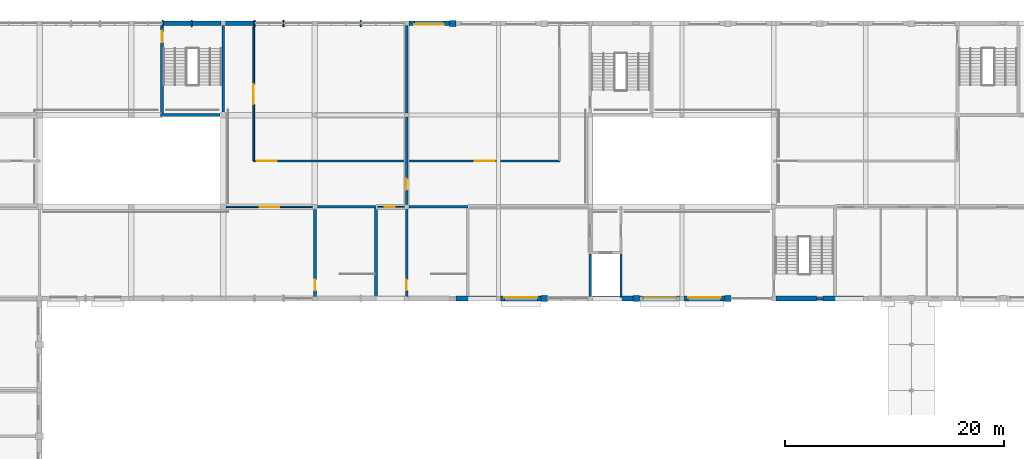
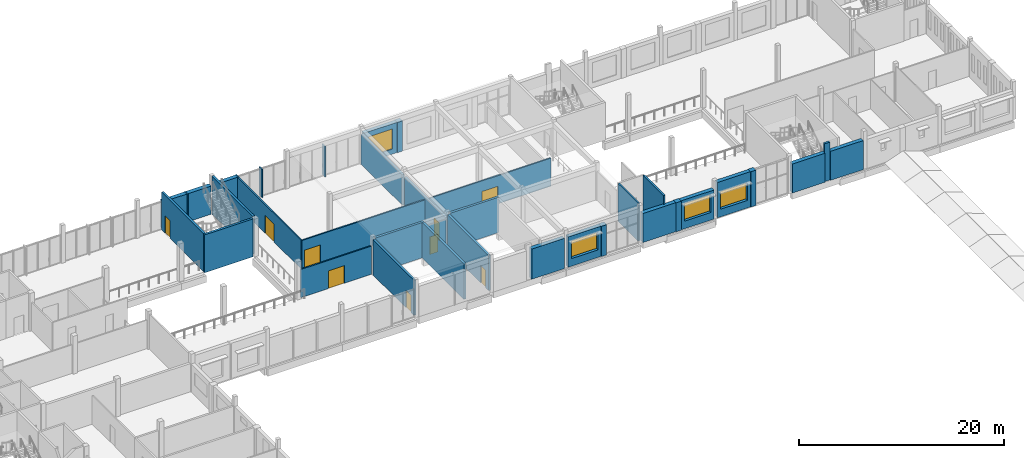
# One storey, part 28 of 38: 37 walls, 9 doors, 4 windows, 13 openings.
"""IFC4 building model written with IfcOpenShell, lengths in metres."""

import ifcopenshell
import ifcopenshell.guid

model = None  # the IFC model being written
_history = None  # IfcOwnerHistory: only IFC2X3 demands one
_inside = {}  # id of a spatial element -> (the spatial element, [elements in it])
_under = {}  # id of a project, library or spatial element -> (it, [spatial elements below it])
_declared = {}  # id of a project -> (the project, [libraries it declares])
_typed = {}  # id of a type object -> (the type object, [elements of that type])
_made_of = {}  # id of a material, layer set ... -> (it, [elements and type objects made of it])


def new_model(schema):
    """Start an empty IFC model of exactly this schema.

    Asked for "IFC4X3", IfcOpenShell would pick the latest addendum, in which some entities
    have other attributes; the version numbers below select the first issue.
    IFC2X3 requires an IfcOwnerHistory on every rooted entity: one is made here for all.
    """
    global model, _history
    if schema == "IFC4X3":
        model = ifcopenshell.file(schema_version=(4, 3, 0, 0))
    else:
        model = ifcopenshell.file(schema=schema)
    _inside.clear()
    _under.clear()
    _declared.clear()
    _typed.clear()
    _made_of.clear()
    _history = None
    if model.schema == "IFC2X3":
        org = make("IfcOrganization", Name="unknown")
        user = make(
            "IfcPersonAndOrganization",
            ThePerson=make("IfcPerson", FamilyName="unknown"),
            TheOrganization=org,
        )
        app = make(
            "IfcApplication",
            ApplicationDeveloper=org,
            Version="unknown",
            ApplicationFullName="unknown",
            ApplicationIdentifier="unknown",
        )
        _history = make(
            "IfcOwnerHistory",
            OwningUser=user,
            OwningApplication=app,
            ChangeAction="ADDED",
            CreationDate=0,
        )
    return model


def make(cls, **values):
    """One entity of the class cls with the attributes given. An attribute that is None is left unset."""
    return model.create_entity(
        cls, **{name: value for name, value in values.items() if value is not None}
    )


def rooted(cls, **values):
    """An entity with a GlobalId (a new one), such as an element, a storey or a relation."""
    return make(cls, GlobalId=ifcopenshell.guid.new(), OwnerHistory=_history, **values)


def si_unit(unit_type, name, prefix=None):
    """IfcSIUnit, for example si_unit("LENGTHUNIT", "METRE", prefix="MILLI")."""
    return make("IfcSIUnit", UnitType=unit_type, Prefix=prefix, Name=name)


def assignment(units):
    """IfcUnitAssignment: the units of a project."""
    return None if units is None else make("IfcUnitAssignment", Units=units)


def point(xyz):
    """IfcCartesianPoint."""
    return None if xyz is None else make("IfcCartesianPoint", Coordinates=xyz)


def direction(xyz):
    """IfcDirection."""
    return None if xyz is None else make("IfcDirection", DirectionRatios=xyz)


def frame(location, z_axis=None, x_axis=None):
    """IfcAxis2Placement3D, a coordinate frame: its origin and axes. An axis left out is left unset."""
    return make(
        "IfcAxis2Placement3D",
        Location=point(location),
        Axis=direction(z_axis),
        RefDirection=direction(x_axis),
    )


def frame_2d(location, x_axis=None):
    """IfcAxis2Placement2D, a coordinate frame in the plane: its origin and x axis."""
    return make(
        "IfcAxis2Placement2D", Location=point(location), RefDirection=direction(x_axis)
    )


def origin():
    """The frame at (0, 0, 0) with its axes left unset."""
    return frame((0.0, 0.0, 0.0))


def place(relative_to, where):
    """IfcLocalPlacement: puts the frame where relative to a parent placement (None: the world)."""
    return make(
        "IfcLocalPlacement", PlacementRelTo=relative_to, RelativePlacement=where
    )


def context(
    kind, dimensions, precision=None, world=None, true_north=None, identifier=None
):
    """IfcGeometricRepresentationContext, for example the 3D "Model" context."""
    return make(
        "IfcGeometricRepresentationContext",
        ContextIdentifier=identifier,
        ContextType=kind,
        CoordinateSpaceDimension=dimensions,
        Precision=precision,
        WorldCoordinateSystem=world,
        TrueNorth=true_north,
    )


def subcontext(parent, identifier, kind, view, scale=None):
    """IfcGeometricRepresentationSubContext, for example "Body" below "Model"."""
    return make(
        "IfcGeometricRepresentationSubContext",
        ContextIdentifier=identifier,
        ContextType=kind,
        ParentContext=parent,
        TargetScale=scale,
        TargetView=view,
    )


def project(units=None, contexts=None):
    """IfcProject with its units and contexts."""
    return rooted(
        "IfcProject",
        Name="project",
        RepresentationContexts=contexts,
        UnitsInContext=assignment(units),
    )


def spatial(cls, under=None, at=None, **own):
    """A site, building, storey or space (cls), placed at a placement, below another one or the project."""
    s = rooted(cls, ObjectPlacement=at, **own)
    if under is not None:
        _under.setdefault(under.id(), (under, []))[1].append(s)
    return s


def profile(cls, at=None, kind="AREA", **sizes):
    """A parametric profile (cls). Its sizes go by their IFC names, for example OverallWidth=200.0."""
    return make(cls, ProfileType=kind, Position=at, **sizes)


def rectangle(**sizes):
    """IfcRectangleProfileDef."""
    return profile("IfcRectangleProfileDef", **sizes)


def extrude(swept, where, along, depth):
    """IfcExtrudedAreaSolid: the profile swept, set in the frame where, extruded along a direction by depth."""
    return make(
        "IfcExtrudedAreaSolid",
        SweptArea=swept,
        Position=where,
        ExtrudedDirection=direction(along),
        Depth=depth,
    )


def shape(context_of_items, identifier, shape_type, items):
    """IfcShapeRepresentation: the items that make up one representation, for example the "Body"."""
    return make(
        "IfcShapeRepresentation",
        ContextOfItems=context_of_items,
        RepresentationIdentifier=identifier,
        RepresentationType=shape_type,
        Items=items,
    )


def material(Name=None, Category=None):
    """IfcMaterial."""
    return make("IfcMaterial", Name=Name, Category=Category)


def layer(
    of_material, thickness, ventilated=None, Name=None, Category=None, Priority=None
):
    """IfcMaterialLayer: one layer of a wall or slab, of a material (None: an air gap)."""
    return make(
        "IfcMaterialLayer",
        Material=of_material,
        LayerThickness=thickness,
        IsVentilated=ventilated,
        Name=Name,
        Category=Category,
        Priority=Priority,
    )


def layer_set(layers, Name=None):
    """IfcMaterialLayerSet."""
    return make("IfcMaterialLayerSet", MaterialLayers=layers, LayerSetName=Name)


def made_of(thing, what):
    """Note that an element or type object is made of a material, layer set ...; save() writes the relation."""
    if what is not None:
        _made_of.setdefault(what.id(), (what, []))[1].append(thing)
    return thing


def type_object(cls, material=None, **own):
    """A type object (cls), such as IfcWallType, which elements share."""
    return made_of(rooted(cls, **own), material)


def element(
    cls,
    number,
    at=None,
    inside=None,
    cuts=None,
    type_object=None,
    material=None,
    context=None,
    identifier="Body",
    shape_type=None,
    held_by="IfcProductDefinitionShape",
    body=None,
    shapes=None,
    **own,
):
    """One element of the class cls, such as IfcWall. Its Tag is "e" and its number.

    at: its placement. inside: the storey or other place that contains it. cuts: it is an
    opening in that element (IfcRelVoidsElement). A single representation is given by context,
    identifier, shape_type and body (its items); several are given by shapes. held_by: the class
    of the entity that holds the representations. save() writes the other relations.
    """
    e = rooted(cls, Tag="e%d" % number, ObjectPlacement=at, **own)
    if body is not None:
        shapes = [shape(context, identifier, shape_type, body)]
    if shapes is not None:
        e.Representation = make(held_by, Representations=shapes)
    if inside is not None:
        _inside.setdefault(inside.id(), (inside, []))[1].append(e)
    if cuts is not None:
        rooted(
            "IfcRelVoidsElement", RelatingBuildingElement=cuts, RelatedOpeningElement=e
        )
    if type_object is not None:
        _typed.setdefault(type_object.id(), (type_object, []))[1].append(e)
    return made_of(e, material)


def fill(opening, filler):
    """IfcRelFillsElement: the door or window that sits in an opening."""
    return rooted(
        "IfcRelFillsElement",
        RelatingOpeningElement=opening,
        RelatedBuildingElement=filler,
    )


def aggregate(whole, parts):
    """IfcRelAggregates: a whole, such as a stair, and the parts it consists of."""
    return rooted("IfcRelAggregates", RelatingObject=whole, RelatedObjects=parts)


def save(model, path):
    """Write the relations noted so far, then the file.

    IfcRelAggregates (storeys below a building ...), IfcRelContainedInSpatialStructure (elements
    in a storey), IfcRelDefinesByType, IfcRelAssociatesMaterial and IfcRelDeclares: one each for
    every whole, place, type object, material and project.
    """
    for whole, parts in _under.values():
        aggregate(whole, parts)
    for where, things in _inside.values():
        rooted(
            "IfcRelContainedInSpatialStructure",
            RelatedElements=things,
            RelatingStructure=where,
        )
    for kind, things in _typed.values():
        rooted("IfcRelDefinesByType", RelatedObjects=things, RelatingType=kind)
    for what, things in _made_of.values():
        rooted("IfcRelAssociatesMaterial", RelatedObjects=things, RelatingMaterial=what)
    for by, libraries in _declared.values():
        rooted("IfcRelDeclares", RelatingContext=by, RelatedDefinitions=libraries)
    model.write(path)


model = new_model("IFC4")

# Units and contexts
model_context = context("Model", 3, precision=1e-05, world=origin(), true_north=direction((0.0, 1.0)))
body_context = subcontext(model_context, "Body", "Model", "MODEL_VIEW")
ifc_project = project(units=[si_unit("LENGTHUNIT", "METRE"), si_unit("AREAUNIT", "SQUARE_METRE"), si_unit("VOLUMEUNIT", "CUBIC_METRE"), si_unit("PLANEANGLEUNIT", "RADIAN"), si_unit("MASSUNIT", "GRAM", prefix="KILO")], contexts=[model_context])

# Site, building, storey
site_placement = place(None, origin())
site = spatial("IfcSite", under=ifc_project, at=site_placement, CompositionType="ELEMENT")
building_placement = place(site_placement, origin())
building = spatial("IfcBuilding", under=site, at=building_placement, Name="Fescue Hill Polytechnic", CompositionType="ELEMENT")
storey_placement = place(building_placement, frame((0.0, 0.0, 18.0)))
storey = spatial("IfcBuildingStorey", under=building, at=storey_placement, Name="L04", CompositionType="ELEMENT", Elevation=18.0)

# Walls
ifc_material_1 = material(Name="Clay brick masonry", Category="masonry")
ifc_layer_1 = layer(ifc_material_1, 0.550048828125)
ifc_layer_set_1 = layer_set([ifc_layer_1], Name="Clay brick masonry")
wall_type_1 = type_object("IfcWallType", Name="Brick pier 600x550", PredefinedType="SOLIDWALL", material=ifc_layer_set_1)
wall_1_placement = place(storey_placement, frame((71.10009765625, 109.199951171875, 0.0), z_axis=(0.0, 0.0, 1.0), x_axis=(1.0, 0.0, 0.0)))
element("IfcWall", 1, at=wall_1_placement, inside=storey, type_object=wall_type_1, Name="PR-L04-V4b-2", PredefinedType="SOLIDWALL", context=body_context, shape_type="SweptSolid", body=[
    extrude(rectangle(XDim=0.599853515625, YDim=0.550048828125, at=frame_2d((0.2998046875, 0.0))), origin(), (0.0, 0.0, 1.0), 3.60009765625),
])
wall_2_placement = place(storey_placement, frame((79.5, 109.199951171875, 0.0), z_axis=(0.0, 0.0, 1.0), x_axis=(1.0, 0.0, 0.0)))
element("IfcWall", 2, at=wall_2_placement, inside=storey, type_object=wall_type_1, Name="PR-L04-V4b-3", PredefinedType="SOLIDWALL", context=body_context, shape_type="SweptSolid", body=[
    extrude(rectangle(XDim=0.60009765625, YDim=0.550048828125, at=frame_2d((0.300048828125, 0.0))), origin(), (0.0, 0.0, 1.0), 3.449951171875),
])
wall_3_placement = place(storey_placement, frame((87.89990234375, 109.199951171875, 0.0), z_axis=(0.0, 0.0, 1.0), x_axis=(1.0, 0.0, 0.0)))
element("IfcWall", 3, at=wall_3_placement, inside=storey, type_object=wall_type_1, Name="PR-L04-V4b-4", PredefinedType="SOLIDWALL", context=body_context, shape_type="SweptSolid", body=[
    extrude(rectangle(XDim=0.60009765625, YDim=0.550048828125, at=frame_2d((0.300048828125, 0.0))), origin(), (0.0, 0.0, 1.0), 4.199951171875),
])
wall_4_placement = place(storey_placement, frame((63.300048828125, 134.39990234375, 0.0), z_axis=(0.0, 0.0, 1.0), x_axis=(-1.0, 0.0, 0.0)))
element("IfcWall", 4, at=wall_4_placement, inside=storey, type_object=wall_type_1, Name="PR-L04-V4b-17", PredefinedType="SOLIDWALL", context=body_context, shape_type="SweptSolid", body=[
    extrude(rectangle(XDim=0.60009765625, YDim=0.550048828125, at=frame_2d((0.300048828125, 0.0))), origin(), (0.0, 0.0, 1.0), 3.60009765625),
])
ifc_material_2 = material(Name="Concrete 40 MPa", Category="concrete")
ifc_layer_2 = layer(ifc_material_2, 0.25)
ifc_layer_set_2 = layer_set([ifc_layer_2], Name="Concrete 40 MPa")
wall_type_2 = type_object("IfcWallType", Name="Core wall 250", PredefinedType="SHEAR", material=ifc_layer_set_2)
wall_5_placement = place(storey_placement, frame((59.0, 117.60009765625, 0.0), z_axis=(0.0, 0.0, 1.0), x_axis=(1.0, 0.0, 0.0)))
element("IfcWall", 5, at=wall_5_placement, inside=storey, type_object=wall_type_2, Name="CW-L04-ST-V4b-1-21", PredefinedType="SHEAR", context=body_context, shape_type="SweptSolid", body=[
    extrude(rectangle(XDim=5.52490234375, YDim=0.25, at=frame_2d((2.762451171875, 0.0))), origin(), (0.0, 0.0, 1.0), 4.199951171875),
])

# Wall, opening, door
wall_6_placement = place(storey_placement, frame((58.800048828125, 109.39990234375, 0.0), z_axis=(0.0, 0.0, 1.0), x_axis=(0.0, 1.0, 0.0)))
wall_6 = element("IfcWall", 6, at=wall_6_placement, inside=storey, type_object=wall_type_2, Name="CW-L04-ST-V4b-1-31", PredefinedType="SHEAR", context=body_context, shape_type="SweptSolid", body=[
    extrude(rectangle(XDim=8.0, YDim=0.25, at=frame_2d((4.0, 0.0))), origin(), (0.0, 0.0, 1.0), 4.199951171875),
])
opening_1_placement = place(wall_6_placement, frame((0.550048828125, 0.0, 0.0)))
opening_1 = element("IfcOpeningElement", 7, at=opening_1_placement, cuts=wall_6, Name="Opening D4043", PredefinedType="OPENING", context=body_context, shape_type="SweptSolid", body=[
    extrude(rectangle(XDim=1.0, YDim=2.10009765625, at=frame_2d((0.5, 1.050048828125))), frame((0.0, 0.135009765625, 0.0), z_axis=(0.0, -1.0, 0.0), x_axis=(1.0, 0.0, 0.0)), (0.0, 0.0, 1.0), 0.27001953125),
])
ifc_material_3 = material(Name="Steel fire door", Category="steel")
door_type_1 = type_object("IfcDoorType", Name="Door single swing 1000x2100 stair fire rated", OperationType="NOTDEFINED", PredefinedType="DOOR", material=ifc_material_3)
door_1_placement = place(opening_1_placement, origin())
door_1 = element("IfcDoor", 8, at=door_1_placement, inside=storey, type_object=door_type_1, Name="L04 ST-V4b-1 stair door", OperationType="SINGLE_SWING_LEFT", OverallHeight=2.10009765625, OverallWidth=1.0, PredefinedType="DOOR", context=body_context, shape_type="SweptSolid", body=[
    extrude(rectangle(XDim=1.0, YDim=2.10009765625, at=frame_2d((0.5, 1.050048828125))), frame((0.0, 0.02490234375, 0.0), z_axis=(0.0, -1.0, 0.0), x_axis=(1.0, 0.0, 0.0)), (0.0, 0.0, 1.0), 0.050048828125),
])
fill(opening_1, door_1)

# Wall
wall_7_placement = place(storey_placement, frame((36.27490234375, 126.0, 0.0), z_axis=(0.0, 0.0, 1.0), x_axis=(1.0, 0.0, 0.0)))
element("IfcWall", 9, at=wall_7_placement, inside=storey, type_object=wall_type_2, Name="CW-L04-ST-V5-2-11", PredefinedType="SHEAR", context=body_context, shape_type="SweptSolid", body=[
    extrude(rectangle(XDim=5.4501953125, YDim=0.25, at=frame_2d((2.72509765625, 0.0))), origin(), (0.0, 0.0, 1.0), 4.5),
])

# Wall, opening, door
wall_8_placement = place(storey_placement, frame((36.39990234375, 126.125, 0.0), z_axis=(0.0, 0.0, 1.0), x_axis=(0.0, 1.0, 0.0)))
wall_8 = element("IfcWall", 10, at=wall_8_placement, inside=storey, type_object=wall_type_2, Name="CW-L04-ST-V5-2-31", PredefinedType="SHEAR", context=body_context, shape_type="SweptSolid", body=[
    extrude(rectangle(XDim=8.14990234375, YDim=0.25, at=frame_2d((4.074951171875, 0.0))), origin(), (0.0, 0.0, 1.0), 4.5),
])
opening_2_placement = place(wall_8_placement, frame((6.52490234375, 0.0, 0.0)))
opening_2 = element("IfcOpeningElement", 11, at=opening_2_placement, cuts=wall_8, Name="Opening D4040", PredefinedType="OPENING", context=body_context, shape_type="SweptSolid", body=[
    extrude(rectangle(XDim=1.0, YDim=2.10009765625, at=frame_2d((0.5, 1.050048828125))), frame((0.0, 0.135009765625, 0.0), z_axis=(0.0, -1.0, 0.0), x_axis=(1.0, 0.0, 0.0)), (0.0, 0.0, 1.0), 0.27001953125),
])
door_2_placement = place(opening_2_placement, origin())
door_2 = element("IfcDoor", 12, at=door_2_placement, inside=storey, type_object=door_type_1, Name="L04 ST-V5-2 stair door", OperationType="SINGLE_SWING_LEFT", OverallHeight=2.10009765625, OverallWidth=1.0, PredefinedType="DOOR", context=body_context, shape_type="SweptSolid", body=[
    extrude(rectangle(XDim=1.0, YDim=2.10009765625, at=frame_2d((0.5, 1.050048828125))), frame((0.0, 0.02490234375, 0.0), z_axis=(0.0, -1.0, 0.0), x_axis=(1.0, 0.0, 0.0)), (0.0, 0.0, 1.0), 0.050048828125),
])
fill(opening_2, door_2)

# Walls
wall_9_placement = place(storey_placement, frame((42.0, 126.27490234375, 0.0), z_axis=(0.0, 0.0, 1.0), x_axis=(0.0, 1.0, 0.0)))
element("IfcWall", 13, at=wall_9_placement, inside=storey, type_object=wall_type_2, Name="CW-L04-ST-V5-2-41", PredefinedType="SHEAR", context=body_context, shape_type="SweptSolid", body=[
    extrude(rectangle(XDim=7.925048828125, YDim=0.25, at=frame_2d((3.96240234375, 0.0))), origin(), (0.0, 0.0, 1.0), 4.5),
])
wall_10_placement = place(storey_placement, frame((50.625, 117.60009765625, 0.0), z_axis=(0.0, 0.0, 1.0), x_axis=(1.0, 0.0, 0.0)))
element("IfcWall", 14, at=wall_10_placement, inside=storey, type_object=wall_type_2, Name="CW-L04-ST-V5-4-21", PredefinedType="SHEAR", context=body_context, shape_type="SweptSolid", body=[
    extrude(rectangle(XDim=5.5, YDim=0.25, at=frame_2d((2.75, 0.0))), origin(), (0.0, 0.0, 1.0), 4.199951171875),
])

# Wall, opening, door
wall_11_placement = place(storey_placement, frame((50.39990234375, 109.39990234375, 0.0), z_axis=(0.0, 0.0, 1.0), x_axis=(0.0, 1.0, 0.0)))
wall_11 = element("IfcWall", 15, at=wall_11_placement, inside=storey, type_object=wall_type_2, Name="CW-L04-ST-V5-4-31", PredefinedType="SHEAR", context=body_context, shape_type="SweptSolid", body=[
    extrude(rectangle(XDim=7.97509765625, YDim=0.25, at=frame_2d((3.987548828125, 0.0))), origin(), (0.0, 0.0, 1.0), 4.199951171875),
])
opening_3_placement = place(wall_11_placement, frame((0.550048828125, 0.0, 0.0)))
opening_3 = element("IfcOpeningElement", 16, at=opening_3_placement, cuts=wall_11, Name="Opening D4042", PredefinedType="OPENING", context=body_context, shape_type="SweptSolid", body=[
    extrude(rectangle(XDim=1.0, YDim=2.10009765625, at=frame_2d((0.5, 1.050048828125))), frame((0.0, 0.135009765625, 0.0), z_axis=(0.0, -1.0, 0.0), x_axis=(1.0, 0.0, 0.0)), (0.0, 0.0, 1.0), 0.27001953125),
])
door_3_placement = place(opening_3_placement, origin())
door_3 = element("IfcDoor", 17, at=door_3_placement, inside=storey, type_object=door_type_1, Name="L04 ST-V5-4 stair door", OperationType="SINGLE_SWING_LEFT", OverallHeight=2.10009765625, OverallWidth=1.0, PredefinedType="DOOR", context=body_context, shape_type="SweptSolid", body=[
    extrude(rectangle(XDim=1.0, YDim=2.10009765625, at=frame_2d((0.5, 1.050048828125))), frame((0.0, 0.02490234375, 0.0), z_axis=(0.0, -1.0, 0.0), x_axis=(1.0, 0.0, 0.0)), (0.0, 0.0, 1.0), 0.050048828125),
])
fill(opening_3, door_3)

# Walls
wall_12_placement = place(storey_placement, frame((56.0, 109.324951171875, 0.0), z_axis=(0.0, 0.0, 1.0), x_axis=(0.0, 1.0, 0.0)))
element("IfcWall", 18, at=wall_12_placement, inside=storey, type_object=wall_type_2, Name="CW-L04-ST-V5-4-41", PredefinedType="SHEAR", context=body_context, shape_type="SweptSolid", body=[
    extrude(rectangle(XDim=8.150146484375, YDim=0.25, at=frame_2d((4.0751953125, 0.0))), origin(), (0.0, 0.0, 1.0), 4.199951171875),
])
wall_13_placement = place(storey_placement, frame((96.300048828125, 109.199951171875, 0.0), z_axis=(0.0, 0.0, 1.0), x_axis=(1.0, 0.0, 0.0)))
element("IfcWall", 19, at=wall_13_placement, inside=storey, type_object=wall_type_2, Name="SCW-L04-ST-V4b-3-s1", PredefinedType="SHEAR", context=body_context, shape_type="SweptSolid", body=[
    extrude(rectangle(XDim=0.599853515625, YDim=0.25, at=frame_2d((0.2998046875, 0.0))), origin(), (0.0, 0.0, 1.0), 4.5),
])

# Wall, opening, door
ifc_material_4 = material(Name="Gypsum board partition")
ifc_layer_3 = layer(ifc_material_4, 0.14990234375)
ifc_layer_set_3 = layer_set([ifc_layer_3], Name="Gypsum board partition")
wall_type_3 = type_object("IfcWallType", Name="Corridor wall 150 EI 45", PredefinedType="PARTITIONING", material=ifc_layer_set_3)
wall_14_placement = place(storey_placement, frame((42.25, 117.60009765625, 0.0), z_axis=(0.0, 0.0, 1.0), x_axis=(1.0, 0.0, 0.0)))
wall_14 = element("IfcWall", 20, at=wall_14_placement, inside=storey, type_object=wall_type_3, Name="IW-L04-024", PredefinedType="PARTITIONING", context=body_context, shape_type="SweptSolid", body=[
    extrude(rectangle(XDim=7.949951171875, YDim=0.14990234375, at=frame_2d((3.97509765625, 0.0))), origin(), (0.0, 0.0, 1.0), 3.35009765625),
])
opening_4_placement = place(wall_14_placement, frame((3.10009765625, 0.0, 0.0)))
opening_4 = element("IfcOpeningElement", 21, at=opening_4_placement, cuts=wall_14, Name="Opening D4018", PredefinedType="OPENING", context=body_context, shape_type="SweptSolid", body=[
    extrude(rectangle(XDim=1.800048828125, YDim=2.10009765625, at=frame_2d((0.89990234375, 1.050048828125))), frame((0.0, 0.0849609375, 0.0), z_axis=(0.0, -1.0, 0.0), x_axis=(1.0, 0.0, 0.0)), (0.0, 0.0, 1.0), 0.169921875),
])
ifc_material_5 = material(Name="Timber", Category="wood")
door_type_2 = type_object("IfcDoorType", Name="Door double swing 1800x2100 FD30S", OperationType="DOUBLE_DOOR_SINGLE_SWING", PredefinedType="DOOR", material=ifc_material_5)
door_4_placement = place(opening_4_placement, origin())
door_4 = element("IfcDoor", 22, at=door_4_placement, inside=storey, type_object=door_type_2, Name="Door D4018", OperationType="DOUBLE_DOOR_SINGLE_SWING", OverallHeight=2.10009765625, OverallWidth=1.800048828125, PredefinedType="DOOR", context=body_context, shape_type="SweptSolid", body=[
    extrude(rectangle(XDim=1.800048828125, YDim=2.10009765625, at=frame_2d((0.89990234375, 1.050048828125))), frame((0.0, 0.02490234375, 0.0), z_axis=(0.0, -1.0, 0.0), x_axis=(1.0, 0.0, 0.0)), (0.0, 0.0, 1.0), 0.050048828125),
])
fill(opening_4, door_4)

# Wall, openings, doors
wall_15_placement = place(storey_placement, frame((44.800048828125, 121.800048828125, 0.0), z_axis=(0.0, 0.0, 1.0), x_axis=(1.0, 0.0, 0.0)))
wall_15 = element("IfcWall", 23, at=wall_15_placement, inside=storey, type_object=wall_type_3, Name="IW-L04-033", PredefinedType="PARTITIONING", context=body_context, shape_type="SweptSolid", body=[
    extrude(rectangle(XDim=28.0, YDim=0.14990234375, at=frame_2d((14.0, 0.0))), origin(), (0.0, 0.0, 1.0), 3.35009765625),
])
opening_5_placement = place(wall_15_placement, frame((0.300048828125, 0.0, 0.0)))
opening_5 = element("IfcOpeningElement", 24, at=opening_5_placement, cuts=wall_15, Name="Opening D4024", PredefinedType="OPENING", context=body_context, shape_type="SweptSolid", body=[
    extrude(rectangle(XDim=1.800048828125, YDim=2.10009765625, at=frame_2d((0.89990234375, 1.050048828125))), frame((0.0, 0.0849609375, 0.0), z_axis=(0.0, -1.0, 0.0), x_axis=(1.0, 0.0, 0.0)), (0.0, 0.0, 1.0), 0.169921875),
])
opening_6_placement = place(wall_15_placement, frame((20.25, 0.0, 0.0)))
opening_6 = element("IfcOpeningElement", 25, at=opening_6_placement, cuts=wall_15, Name="Opening D4032", PredefinedType="OPENING", context=body_context, shape_type="SweptSolid", body=[
    extrude(rectangle(XDim=1.800048828125, YDim=2.10009765625, at=frame_2d((0.89990234375, 1.050048828125))), frame((0.0, 0.0849609375, 0.0), z_axis=(0.0, -1.0, 0.0), x_axis=(1.0, 0.0, 0.0)), (0.0, 0.0, 1.0), 0.169921875),
])
door_5_placement = place(opening_5_placement, origin())
door_5 = element("IfcDoor", 26, at=door_5_placement, inside=storey, type_object=door_type_2, Name="Door D4024", OperationType="DOUBLE_DOOR_SINGLE_SWING", OverallHeight=2.10009765625, OverallWidth=1.800048828125, PredefinedType="DOOR", context=body_context, shape_type="SweptSolid", body=[
    extrude(rectangle(XDim=1.800048828125, YDim=2.10009765625, at=frame_2d((0.89990234375, 1.050048828125))), frame((0.0, 0.02490234375, 0.0), z_axis=(0.0, -1.0, 0.0), x_axis=(1.0, 0.0, 0.0)), (0.0, 0.0, 1.0), 0.050048828125),
])
fill(opening_5, door_5)
door_6_placement = place(opening_6_placement, origin())
door_6 = element("IfcDoor", 27, at=door_6_placement, inside=storey, type_object=door_type_2, Name="Door D4032", OperationType="DOUBLE_DOOR_SINGLE_SWING", OverallHeight=2.10009765625, OverallWidth=1.800048828125, PredefinedType="DOOR", context=body_context, shape_type="SweptSolid", body=[
    extrude(rectangle(XDim=1.800048828125, YDim=2.10009765625, at=frame_2d((0.89990234375, 1.050048828125))), frame((0.0, 0.02490234375, 0.0), z_axis=(0.0, -1.0, 0.0), x_axis=(1.0, 0.0, 0.0)), (0.0, 0.0, 1.0), 0.050048828125),
])
fill(opening_6, door_6)

# Wall, opening, door
wall_16_placement = place(storey_placement, frame((44.800048828125, 121.800048828125, 0.0), z_axis=(0.0, 0.0, 1.0), x_axis=(0.0, 1.0, 0.0)))
wall_16 = element("IfcWall", 28, at=wall_16_placement, inside=storey, type_object=wall_type_3, Name="IW-L04-054", PredefinedType="PARTITIONING", context=body_context, shape_type="SweptSolid", body=[
    extrude(rectangle(XDim=12.300048828125, YDim=0.14990234375, at=frame_2d((6.14990234375, 0.0))), origin(), (0.0, 0.0, 1.0), 3.39990234375),
])
opening_7_placement = place(wall_16_placement, frame((5.199951171875, 0.0, 0.0)))
opening_7 = element("IfcOpeningElement", 29, at=opening_7_placement, cuts=wall_16, Name="Opening D4023", PredefinedType="OPENING", context=body_context, shape_type="SweptSolid", body=[
    extrude(rectangle(XDim=1.800048828125, YDim=2.10009765625, at=frame_2d((0.89990234375, 1.050048828125))), frame((0.0, 0.0849609375, 0.0), z_axis=(0.0, -1.0, 0.0), x_axis=(1.0, 0.0, 0.0)), (0.0, 0.0, 1.0), 0.169921875),
])
door_7_placement = place(opening_7_placement, origin())
door_7 = element("IfcDoor", 30, at=door_7_placement, inside=storey, type_object=door_type_2, Name="Door D4023", OperationType="DOUBLE_DOOR_SINGLE_SWING", OverallHeight=2.10009765625, OverallWidth=1.800048828125, PredefinedType="DOOR", context=body_context, shape_type="SweptSolid", body=[
    extrude(rectangle(XDim=1.800048828125, YDim=2.10009765625, at=frame_2d((0.89990234375, 1.050048828125))), frame((0.0, 0.02490234375, 0.0), z_axis=(0.0, -1.0, 0.0), x_axis=(1.0, 0.0, 0.0)), (0.0, 0.0, 1.0), 0.050048828125),
])
fill(opening_7, door_7)

# Wall
ifc_layer_4 = layer(ifc_material_2, 0.449951171875)
ifc_layer_set_4 = layer_set([ifc_layer_4], Name="Concrete 40 MPa")
wall_type_4 = type_object("IfcWallType", Name="Exterior wall board-marked concrete 450", PredefinedType="SOLIDWALL", material=ifc_layer_set_4)
wall_17_placement = place(storey_placement, frame((44.806640625, 134.39990234375, 0.0), z_axis=(0.0, 0.0, 1.0), x_axis=(-1.0, 0.0, 0.0)))
element("IfcWall", 31, at=wall_17_placement, inside=storey, type_object=wall_type_4, Name="EW-L04-V5-11", PredefinedType="SOLIDWALL", context=body_context, shape_type="SweptSolid", body=[
    extrude(rectangle(XDim=2.606689453125, YDim=0.449951171875, at=frame_2d((1.30322265625, 0.0))), origin(), (0.0, 0.0, 1.0), 3.35009765625),
])

# Wall, opening, window
wall_18_placement = place(storey_placement, frame((67.39990234375, 109.199951171875, 0.0), z_axis=(0.0, 0.0, 1.0), x_axis=(1.0, 0.0, 0.0)))
wall_18 = element("IfcWall", 32, at=wall_18_placement, inside=storey, type_object=wall_type_4, Name="EW-L04-V4b-3", PredefinedType="SOLIDWALL", context=body_context, shape_type="SweptSolid", body=[
    extrude(rectangle(XDim=3.7001953125, YDim=0.449951171875, at=frame_2d((1.85009765625, 0.0))), origin(), (0.0, 0.0, 1.0), 3.60009765625),
])
opening_8_placement = place(wall_18_placement, frame((0.35009765625, 0.0, 0.89990234375)))
opening_8 = element("IfcOpeningElement", 33, at=opening_8_placement, cuts=wall_18, Name="Opening W5", PredefinedType="OPENING", context=body_context, shape_type="SweptSolid", body=[
    extrude(rectangle(XDim=3.0, YDim=2.10009765625, at=frame_2d((1.5, 1.050048828125))), frame((0.0, 0.23486328125, 0.0), z_axis=(0.0, -1.0, 0.0), x_axis=(1.0, 0.0, 0.0)), (0.0, 0.0, 1.0), 0.469970703125),
])
ifc_material_6 = material(Name="Powder-coated aluminium and glass", Category="aluminium")
window_type_1 = type_object("IfcWindowType", Name="Window studio large 3000x2100", PartitioningType="SINGLE_PANEL", PredefinedType="WINDOW", material=ifc_material_6)
window_1_placement = place(opening_8_placement, origin())
window_1 = element("IfcWindow", 34, at=window_1_placement, inside=storey, type_object=window_type_1, Name="WN-L04-V4b-1", OverallHeight=2.10009765625, OverallWidth=3.0, PartitioningType="SINGLE_PANEL", PredefinedType="WINDOW", context=body_context, shape_type="SweptSolid", body=[
    extrude(rectangle(XDim=3.0, YDim=2.10009765625, at=frame_2d((1.5, 1.050048828125))), frame((0.0, 0.135009765625, 0.0), z_axis=(0.0, -1.0, 0.0), x_axis=(1.0, 0.0, 0.0)), (0.0, 0.0, 1.0), 0.06005859375),
])
fill(opening_8, window_1)

# Wall
wall_19_placement = place(storey_placement, frame((75.800048828125, 109.199951171875, 0.0), z_axis=(0.0, 0.0, 1.0), x_axis=(1.0, 0.0, 0.0)))
element("IfcWall", 35, at=wall_19_placement, inside=storey, type_object=wall_type_4, Name="EW-L04-V4b-5", PredefinedType="SOLIDWALL", context=body_context, shape_type="SweptSolid", body=[
    extrude(rectangle(XDim=3.699951171875, YDim=0.449951171875, at=frame_2d((1.85009765625, 0.0))), origin(), (0.0, 0.0, 1.0), 3.449951171875),
])

# Wall, opening, window
wall_20_placement = place(storey_placement, frame((80.10009765625, 109.199951171875, 0.0), z_axis=(0.0, 0.0, 1.0), x_axis=(1.0, 0.0, 0.0)))
wall_20 = element("IfcWall", 36, at=wall_20_placement, inside=storey, type_object=wall_type_4, Name="EW-L04-V4b-6", PredefinedType="SOLIDWALL", context=body_context, shape_type="SweptSolid", body=[
    extrude(rectangle(XDim=3.699951171875, YDim=0.449951171875, at=frame_2d((1.85009765625, 0.0))), origin(), (0.0, 0.0, 1.0), 3.449951171875),
])
opening_9_placement = place(wall_20_placement, frame((0.35009765625, 0.0, 0.89990234375)))
opening_9 = element("IfcOpeningElement", 37, at=opening_9_placement, cuts=wall_20, Name="Opening W5", PredefinedType="OPENING", context=body_context, shape_type="SweptSolid", body=[
    extrude(rectangle(XDim=3.0, YDim=2.10009765625, at=frame_2d((1.5, 1.050048828125))), frame((0.0, 0.23486328125, 0.0), z_axis=(0.0, -1.0, 0.0), x_axis=(1.0, 0.0, 0.0)), (0.0, 0.0, 1.0), 0.469970703125),
])
window_2_placement = place(opening_9_placement, origin())
window_2 = element("IfcWindow", 38, at=window_2_placement, inside=storey, type_object=window_type_1, Name="WN-L04-V4b-2", OverallHeight=2.10009765625, OverallWidth=3.0, PartitioningType="SINGLE_PANEL", PredefinedType="WINDOW", context=body_context, shape_type="SweptSolid", body=[
    extrude(rectangle(XDim=3.0, YDim=2.10009765625, at=frame_2d((1.5, 1.050048828125))), frame((0.0, 0.135009765625, 0.0), z_axis=(0.0, -1.0, 0.0), x_axis=(1.0, 0.0, 0.0)), (0.0, 0.0, 1.0), 0.06005859375),
])
fill(opening_9, window_2)

wall_21_placement = place(storey_placement, frame((84.199951171875, 109.199951171875, 0.0), z_axis=(0.0, 0.0, 1.0), x_axis=(1.0, 0.0, 0.0)))
wall_21 = element("IfcWall", 39, at=wall_21_placement, inside=storey, type_object=wall_type_4, Name="EW-L04-V4b-7", PredefinedType="SOLIDWALL", context=body_context, shape_type="SweptSolid", body=[
    extrude(rectangle(XDim=3.699951171875, YDim=0.449951171875, at=frame_2d((1.85009765625, 0.0))), origin(), (0.0, 0.0, 1.0), 4.199951171875),
])
opening_10_placement = place(wall_21_placement, frame((0.35009765625, 0.0, 0.89990234375)))
opening_10 = element("IfcOpeningElement", 40, at=opening_10_placement, cuts=wall_21, Name="Opening W5", PredefinedType="OPENING", context=body_context, shape_type="SweptSolid", body=[
    extrude(rectangle(XDim=3.0, YDim=2.10009765625, at=frame_2d((1.5, 1.050048828125))), frame((0.0, 0.23486328125, 0.0), z_axis=(0.0, -1.0, 0.0), x_axis=(1.0, 0.0, 0.0)), (0.0, 0.0, 1.0), 0.469970703125),
])
window_3_placement = place(opening_10_placement, origin())
window_3 = element("IfcWindow", 41, at=window_3_placement, inside=storey, type_object=window_type_1, Name="WN-L04-V4b-3", OverallHeight=2.10009765625, OverallWidth=3.0, PartitioningType="SINGLE_PANEL", PredefinedType="WINDOW", context=body_context, shape_type="SweptSolid", body=[
    extrude(rectangle(XDim=3.0, YDim=2.10009765625, at=frame_2d((1.5, 1.050048828125))), frame((0.0, 0.135009765625, 0.0), z_axis=(0.0, -1.0, 0.0), x_axis=(1.0, 0.0, 0.0)), (0.0, 0.0, 1.0), 0.06005859375),
])
fill(opening_10, window_3)

wall_22_placement = place(storey_placement, frame((62.699951171875, 134.39990234375, 0.0), z_axis=(0.0, 0.0, 1.0), x_axis=(-1.0, 0.0, 0.0)))
wall_22 = element("IfcWall", 42, at=wall_22_placement, inside=storey, type_object=wall_type_4, Name="EW-L04-V4b-34", PredefinedType="SOLIDWALL", context=body_context, shape_type="SweptSolid", body=[
    extrude(rectangle(XDim=3.699951171875, YDim=0.449951171875, at=frame_2d((1.85009765625, 0.0))), origin(), (0.0, 0.0, 1.0), 3.60009765625),
])
opening_11_placement = place(wall_22_placement, frame((0.5, 0.0, 0.60009765625)))
opening_11 = element("IfcOpeningElement", 43, at=opening_11_placement, cuts=wall_22, Name="Opening W16R", PredefinedType="OPENING", context=body_context, shape_type="SweptSolid", body=[
    extrude(rectangle(XDim=2.699951171875, YDim=2.39990234375, at=frame_2d((1.35009765625, 1.199951171875))), frame((0.0, 0.23486328125, 0.0), z_axis=(0.0, -1.0, 0.0), x_axis=(1.0, 0.0, 0.0)), (0.0, 0.0, 1.0), 0.469970703125),
])
window_type_2 = type_object("IfcWindowType", Name="Window studio north-light 2700x2400", PartitioningType="TRIPLE_PANEL_VERTICAL", PredefinedType="WINDOW", material=ifc_material_6)
window_4_placement = place(opening_11_placement, origin())
window_4 = element("IfcWindow", 44, at=window_4_placement, inside=storey, type_object=window_type_2, Name="WN-L04-V4b-33", OverallHeight=2.39990234375, OverallWidth=2.699951171875, PartitioningType="SINGLE_PANEL", PredefinedType="WINDOW", context=body_context, shape_type="SweptSolid", body=[
    extrude(rectangle(XDim=2.699951171875, YDim=2.39990234375, at=frame_2d((1.35009765625, 1.199951171875))), frame((0.0, 0.135009765625, 0.0), z_axis=(0.0, -1.0, 0.0), x_axis=(1.0, 0.0, 0.0)), (0.0, 0.0, 1.0), 0.06005859375),
])
fill(opening_11, window_4)

# Walls
ifc_layer_5 = layer(ifc_material_2, 0.449951171875)
ifc_layer_set_5 = layer_set([ifc_layer_5], Name="Concrete 40 MPa")
wall_type_5 = type_object("IfcWallType", Name="Exterior wall board-marked concrete 450 load-bearing", PredefinedType="SOLIDWALL", material=ifc_layer_set_5)
wall_23_placement = place(storey_placement, frame((41.800048828125, 134.39990234375, 0.0), z_axis=(0.0, 0.0, 1.0), x_axis=(-1.0, 0.0, 0.0)))
element("IfcWall", 45, at=wall_23_placement, inside=storey, type_object=wall_type_5, Name="EW-L04-V5-12", PredefinedType="SOLIDWALL", context=body_context, shape_type="SweptSolid", body=[
    extrude(rectangle(XDim=2.606689453125, YDim=0.449951171875, at=frame_2d((1.30322265625, 0.0))), origin(), (0.0, 0.0, 1.0), 3.35009765625),
])
wall_24_placement = place(storey_placement, frame((39.0732421875, 134.39990234375, 0.0), z_axis=(0.0, 0.0, 1.0), x_axis=(-1.0, 0.0, 0.0)))
element("IfcWall", 46, at=wall_24_placement, inside=storey, type_object=wall_type_5, Name="EW-L04-V5-13", PredefinedType="SOLIDWALL", context=body_context, shape_type="SweptSolid", body=[
    extrude(rectangle(XDim=2.546630859375, YDim=0.449951171875, at=frame_2d((1.2734375, 0.0))), origin(), (0.0, 0.0, 1.0), 3.35009765625),
])
wall_25_placement = place(storey_placement, frame((63.300048828125, 109.199951171875, 0.0), z_axis=(0.0, 0.0, 1.0), x_axis=(1.0, 0.0, 0.0)))
element("IfcWall", 47, at=wall_25_placement, inside=storey, type_object=wall_type_5, Name="EW-L04-V4b-2", PredefinedType="SOLIDWALL", context=body_context, shape_type="SweptSolid", body=[
    extrude(rectangle(XDim=3.699951171875, YDim=0.449951171875, at=frame_2d((1.85009765625, 0.0))), origin(), (0.0, 0.0, 1.0), 3.60009765625),
])
wall_26_placement = place(storey_placement, frame((92.60009765625, 109.199951171875, 0.0), z_axis=(0.0, 0.0, 1.0), x_axis=(1.0, 0.0, 0.0)))
element("IfcWall", 48, at=wall_26_placement, inside=storey, type_object=wall_type_5, Name="EW-L04-V4b-9", PredefinedType="SOLIDWALL", context=body_context, shape_type="SweptSolid", body=[
    extrude(rectangle(XDim=3.699951171875, YDim=0.449951171875, at=frame_2d((1.85009765625, 0.0))), origin(), (0.0, 0.0, 1.0), 3.449951171875),
])
wall_27_placement = place(storey_placement, frame((96.89990234375, 109.199951171875, 0.0), z_axis=(0.0, 0.0, 1.0), x_axis=(1.0, 0.0, 0.0)))
element("IfcWall", 49, at=wall_27_placement, inside=storey, type_object=wall_type_5, Name="EW-L04-V4b-10", PredefinedType="SOLIDWALL", context=body_context, shape_type="SweptSolid", body=[
    extrude(rectangle(XDim=3.7001953125, YDim=0.449951171875, at=frame_2d((1.85009765625, 0.0))), origin(), (0.0, 0.0, 1.0), 3.449951171875),
])
ifc_layer_6 = layer(ifc_material_2, 0.199951171875)
ifc_layer_set_6 = layer_set([ifc_layer_6], Name="Concrete 40 MPa")
wall_type_6 = type_object("IfcWallType", Name="Lift shaft wall 200", PredefinedType="SHEAR", material=ifc_layer_set_6)
wall_28_placement = place(storey_placement, frame((75.60009765625, 109.39990234375, 0.0), z_axis=(0.0, 0.0, 1.0), x_axis=(0.0, 1.0, 0.0)))
element("IfcWall", 50, at=wall_28_placement, inside=storey, type_object=wall_type_6, Name="CW-L04-LF-V4b-1-31", PredefinedType="SHEAR", context=body_context, shape_type="SweptSolid", body=[
    extrude(rectangle(XDim=3.900146484375, YDim=0.199951171875, at=frame_2d((1.9501953125, 0.0))), origin(), (0.0, 0.0, 1.0), 4.5),
])
wall_29_placement = place(storey_placement, frame((78.39990234375, 109.300048828125, 0.0), z_axis=(0.0, 0.0, 1.0), x_axis=(0.0, 1.0, 0.0)))
element("IfcWall", 51, at=wall_29_placement, inside=storey, type_object=wall_type_6, Name="CW-L04-LF-V4b-1-41", PredefinedType="SHEAR", context=body_context, shape_type="SweptSolid", body=[
    extrude(rectangle(XDim=4.0, YDim=0.199951171875, at=frame_2d((2.0, 0.0))), origin(), (0.0, 0.0, 1.0), 4.5),
])

# Wall, opening, door
ifc_material_7 = material(Name="Concrete 35 MPa", Category="concrete")
ifc_layer_7 = layer(ifc_material_7, 0.25)
ifc_layer_set_7 = layer_set([ifc_layer_7], Name="Concrete 35 MPa")
wall_type_7 = type_object("IfcWallType", Name="Party wall 250 concrete EI 120", PredefinedType="SOLIDWALL", material=ifc_layer_set_7)
wall_30_placement = place(storey_placement, frame((58.800048828125, 117.800048828125, 0.0), z_axis=(0.0, 0.0, 1.0), x_axis=(0.0, 1.0, 0.0)))
wall_30 = element("IfcWall", 52, at=wall_30_placement, inside=storey, type_object=wall_type_7, Name="IW-L04-055", PredefinedType="SOLIDWALL", context=body_context, shape_type="SweptSolid", body=[
    extrude(rectangle(XDim=8.0, YDim=0.25, at=frame_2d((4.0, 0.0))), origin(), (0.0, 0.0, 1.0), 3.60009765625),
])
opening_12_placement = place(wall_30_placement, frame((1.35009765625, 0.0, 0.0)))
opening_12 = element("IfcOpeningElement", 53, at=opening_12_placement, cuts=wall_30, Name="Opening D4015", PredefinedType="OPENING", context=body_context, shape_type="SweptSolid", body=[
    extrude(rectangle(XDim=1.0, YDim=2.10009765625, at=frame_2d((0.5, 1.050048828125))), frame((0.0, 0.135009765625, 0.0), z_axis=(0.0, -1.0, 0.0), x_axis=(1.0, 0.0, 0.0)), (0.0, 0.0, 1.0), 0.27001953125),
])
ifc_material_8 = material(Name="Steel", Category="steel")
door_type_3 = type_object("IfcDoorType", Name="Door single swing 1000x2100 FD90", OperationType="SINGLE_SWING_LEFT", PredefinedType="DOOR", material=ifc_material_8)
door_8_placement = place(opening_12_placement, origin())
door_8 = element("IfcDoor", 54, at=door_8_placement, inside=storey, type_object=door_type_3, Name="Door D4015", OperationType="SINGLE_SWING_LEFT", OverallHeight=2.10009765625, OverallWidth=1.0, PredefinedType="DOOR", context=body_context, shape_type="SweptSolid", body=[
    extrude(rectangle(XDim=1.0, YDim=2.10009765625, at=frame_2d((0.5, 1.050048828125))), frame((0.0, 0.02490234375, 0.0), z_axis=(0.0, -1.0, 0.0), x_axis=(1.0, 0.0, 0.0)), (0.0, 0.0, 1.0), 0.050048828125),
])
fill(opening_12, door_8)

# Walls
wall_31_placement = place(storey_placement, frame((58.800048828125, 126.199951171875, 0.0), z_axis=(0.0, 0.0, 1.0), x_axis=(0.0, 1.0, 0.0)))
element("IfcWall", 55, at=wall_31_placement, inside=storey, type_object=wall_type_7, Name="IW-L04-056", PredefinedType="SOLIDWALL", context=body_context, shape_type="SweptSolid", body=[
    extrude(rectangle(XDim=8.0, YDim=0.25, at=frame_2d((4.0, 0.0))), origin(), (0.0, 0.0, 1.0), 3.60009765625),
])
ifc_material_9 = material(Name="Glulam 24f-EX", Category="wood")
ifc_layer_8 = layer(ifc_material_9, 0.60009765625)
ifc_layer_set_8 = layer_set([ifc_layer_8], Name="Glulam 24f-EX")
wall_type_8 = type_object("IfcWallType", Name="Timber fin 120x600", PredefinedType="SOLIDWALL", material=ifc_layer_set_8)
wall_32_placement = place(storey_placement, frame((54.659912109375, 134.39990234375, 0.0), z_axis=(0.0, 0.0, 1.0), x_axis=(-1.0, 0.0, 0.0)))
element("IfcWall", 56, at=wall_32_placement, inside=storey, type_object=wall_type_8, Name="PR-L04-V5-7", PredefinedType="SOLIDWALL", context=body_context, shape_type="SweptSolid", body=[
    extrude(rectangle(XDim=0.119873046875, YDim=0.60009765625, at=frame_2d((0.06005859375, 0.0))), origin(), (0.0, 0.0, 1.0), 3.60009765625),
])
wall_33_placement = place(storey_placement, frame((47.59326171875, 134.39990234375, 0.0), z_axis=(0.0, 0.0, 1.0), x_axis=(-1.0, 0.0, 0.0)))
element("IfcWall", 57, at=wall_33_placement, inside=storey, type_object=wall_type_8, Name="PR-L04-V5-8", PredefinedType="SOLIDWALL", context=body_context, shape_type="SweptSolid", body=[
    extrude(rectangle(XDim=0.119873046875, YDim=0.60009765625, at=frame_2d((0.06005859375, 0.0))), origin(), (0.0, 0.0, 1.0), 3.35009765625),
])
for number, where, z_axis, x_axis, name in (
    (58, (44.9267578125, 134.39990234375, 0.0), (0.0, 0.0, 1.0), (-1.0, 0.0, 0.0), "PR-L04-V5-9"),
    (59, (39.193359375, 134.39990234375, 0.0), (0.0, 0.0, 1.0), (-1.0, 0.0, 0.0), "PR-L04-V5-10"),
):
    element("IfcWall", number, at=place(storey_placement, frame(where, z_axis=z_axis, x_axis=x_axis)), inside=storey, type_object=wall_type_8, Name=name, PredefinedType="SOLIDWALL", context=body_context, shape_type="SweptSolid", body=[
        extrude(rectangle(XDim=0.1201171875, YDim=0.60009765625, at=frame_2d((0.06005859375, 0.0))), origin(), (0.0, 0.0, 1.0), 3.35009765625),
    ])
wall_34_placement = place(storey_placement, frame((36.526611328125, 134.39990234375, 0.0), z_axis=(0.0, 0.0, 1.0), x_axis=(-1.0, 0.0, 0.0)))
element("IfcWall", 60, at=wall_34_placement, inside=storey, type_object=wall_type_8, Name="PR-L04-V5-11", PredefinedType="SOLIDWALL", context=body_context, shape_type="SweptSolid", body=[
    extrude(rectangle(XDim=0.119873046875, YDim=0.60009765625, at=frame_2d((0.06005859375, 0.0))), origin(), (0.0, 0.0, 1.0), 3.35009765625),
])

# Wall, opening, door
ifc_layer_9 = layer(ifc_material_4, 0.10009765625)
ifc_layer_set_9 = layer_set([ifc_layer_9], Name="Gypsum board partition")
wall_type_9 = type_object("IfcWallType", Name="WC partition 100 moisture resistant", PredefinedType="PARTITIONING", material=ifc_layer_set_9)
wall_35_placement = place(storey_placement, frame((56.14990234375, 117.60009765625, 0.0), z_axis=(0.0, 0.0, 1.0), x_axis=(1.0, 0.0, 0.0)))
wall_35 = element("IfcWall", 61, at=wall_35_placement, inside=storey, type_object=wall_type_9, Name="IW-L04-028", PredefinedType="PARTITIONING", context=body_context, shape_type="SweptSolid", body=[
    extrude(rectangle(XDim=2.4501953125, YDim=0.10009765625, at=frame_2d((1.22509765625, 0.0))), origin(), (0.0, 0.0, 1.0), 3.60009765625),
])
opening_13_placement = place(wall_35_placement, frame((0.64990234375, 0.0, 0.0)))
opening_13 = element("IfcOpeningElement", 62, at=opening_13_placement, cuts=wall_35, Name="Opening D4016", PredefinedType="OPENING", context=body_context, shape_type="SweptSolid", body=[
    extrude(rectangle(XDim=0.89990234375, YDim=2.10009765625, at=frame_2d((0.449951171875, 1.050048828125))), frame((0.0, 0.06005859375, 0.0), z_axis=(0.0, -1.0, 0.0), x_axis=(1.0, 0.0, 0.0)), (0.0, 0.0, 1.0), 0.1201171875),
])
door_type_4 = type_object("IfcDoorType", Name="Door single swing 900x2100 store", OperationType="SINGLE_SWING_LEFT", PredefinedType="DOOR", material=ifc_material_5)
door_9_placement = place(opening_13_placement, origin())
door_9 = element("IfcDoor", 63, at=door_9_placement, inside=storey, type_object=door_type_4, Name="Door D4016", OperationType="SINGLE_SWING_LEFT", OverallHeight=2.10009765625, OverallWidth=0.89990234375, PredefinedType="DOOR", context=body_context, shape_type="SweptSolid", body=[
    extrude(rectangle(XDim=0.89990234375, YDim=2.10009765625, at=frame_2d((0.449951171875, 1.050048828125))), frame((0.0, 0.02490234375, 0.0), z_axis=(0.0, -1.0, 0.0), x_axis=(1.0, 0.0, 0.0)), (0.0, 0.0, 1.0), 0.050048828125),
])
fill(opening_13, door_9)

save(model, "model.ifc")
